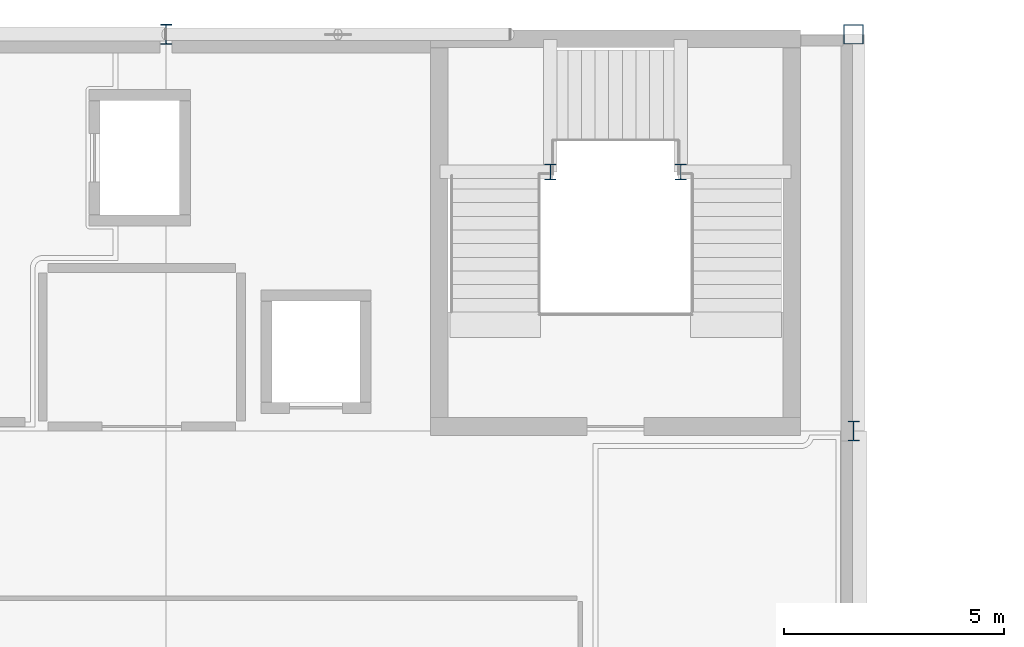
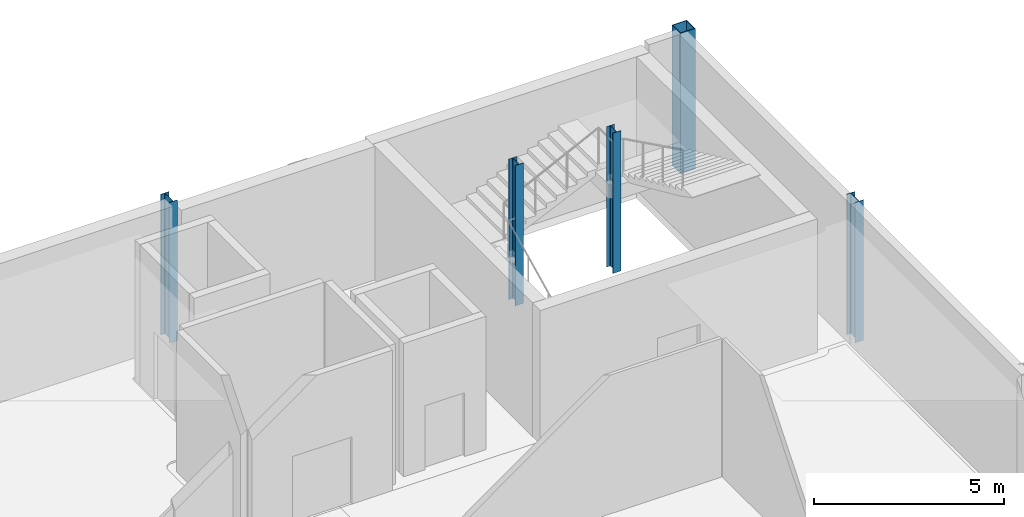
# One storey, part 7 of 38: 5 columns.
"""IFC4 building model written with IfcOpenShell, lengths in metres."""

from ifc_helpers import new_model, si_unit, derived_unit, direction, frame, origin, origin_2d, place, context, subcontext, project, spatial, hollow_rectangle, i_section, extrude, material, material_profile, profile_set, type_object, element, save


model = new_model("IFC4")

# Units and contexts
model_context = context("Model", 3, precision=1e-05, world=origin(), true_north=direction((0.0, 1.0)))
body_context = subcontext(model_context, "Body", "Model", "MODEL_VIEW")
ifc_project = project(units=[si_unit("LENGTHUNIT", "METRE"), si_unit("AREAUNIT", "SQUARE_METRE"), si_unit("VOLUMEUNIT", "CUBIC_METRE"), si_unit("PLANEANGLEUNIT", "RADIAN"), si_unit("MASSUNIT", "GRAM", prefix="KILO"), derived_unit("THERMALTRANSMITTANCEUNIT", [(si_unit("POWERUNIT", "WATT"), 1), (si_unit("LENGTHUNIT", "METRE"), -2), (si_unit("THERMODYNAMICTEMPERATUREUNIT", "KELVIN"), -1)])], contexts=[model_context])

# Site, building, storey
site_placement = place(None, origin())
site = spatial("IfcSite", under=ifc_project, at=site_placement, CompositionType="ELEMENT")
building_placement = place(site_placement, origin())
building = spatial("IfcBuilding", under=site, at=building_placement, Name="Nallur Shell Playhouse", CompositionType="ELEMENT")
storey_placement = place(building_placement, frame((0.0, 0.0, 24.300048828125)))
storey = spatial("IfcBuildingStorey", under=building, at=storey_placement, Name="L06", CompositionType="ELEMENT", Elevation=24.300048828125)

# Columns
ifc_material = material(Name="Steel E350", Category="steel")
ifc_material_profile_1 = material_profile(ifc_material, hollow_rectangle(XDim=0.449951171875, YDim=0.449951171875, WallThickness=0.02001953125, at=origin_2d()), Name="BOX 450x450x20")
ifc_profile_set_1 = profile_set([ifc_material_profile_1], Name="Steel E350")
column_type_1 = type_object("IfcColumnType", Name="CL-ST-BOX450", PredefinedType="COLUMN", material=ifc_profile_set_1)
column_placement = place(storey_placement, frame((103.0, 83.0, 0.0), z_axis=(0.0, 0.0, 1.0), x_axis=(1.0, 0.0, 0.0)))
element("IfcColumn", 1, at=column_placement, inside=storey, type_object=column_type_1, Name="Column 13-K (L06)", PredefinedType="COLUMN", context=body_context, shape_type="SweptSolid", body=[
    extrude(hollow_rectangle(XDim=0.449951171875, YDim=0.449951171875, WallThickness=0.02001953125, at=origin_2d()), origin(), (0.0, 0.0, 1.0), 4.5),
])
ifc_material_profile_2 = material_profile(ifc_material, i_section(OverallWidth=0.25, OverallDepth=0.35009765625, WebThickness=0.010009765625, FlangeThickness=0.01171875, FilletRadius=0.011962890625, at=origin_2d()), Name="ISHB 350")
ifc_profile_set_2 = profile_set([ifc_material_profile_2], Name="Steel E350")
column_type_2 = type_object("IfcColumnType", Name="CL-ST-ISHB350", PredefinedType="COLUMN", material=ifc_profile_set_2)
for number, where, z_axis, x_axis, name in (
    (2, (96.1201171875, 79.8798828125, 0.0), (0.0, 0.0, 1.0), (1.0, 0.0, 0.0), "Column STW-JC-4-W (L06)"),
    (3, (99.080078125, 79.8798828125, 0.0), (0.0, 0.0, 1.0), (1.0, 0.0, 0.0), "Column STW-JC-4-E (L06)"),
):
    element("IfcColumn", number, at=place(storey_placement, frame(where, z_axis=z_axis, x_axis=x_axis)), inside=storey, type_object=column_type_2, Name=name, PredefinedType="COLUMN", context=body_context, shape_type="SweptSolid", body=[
        extrude(i_section(OverallWidth=0.25, OverallDepth=0.35009765625, WebThickness=0.010009765625, FlangeThickness=0.01171875, FilletRadius=0.011962890625, at=origin_2d()), origin(), (0.0, 0.0, 1.0), 4.5),
    ])
ifc_material_profile_3 = material_profile(ifc_material, i_section(OverallWidth=0.25, OverallDepth=0.449951171875, WebThickness=0.01123046875, FlangeThickness=0.013671875, FilletRadius=0.014892578125, at=origin_2d()), Name="ISHB 450")
ifc_profile_set_3 = profile_set([ifc_material_profile_3], Name="Steel E350")
column_type_3 = type_object("IfcColumnType", Name="CL-ST-ISHB450", PredefinedType="COLUMN", material=ifc_profile_set_3)
for number, where, z_axis, x_axis, name in (
    (4, (87.39990234375, 83.0, 0.0), (0.0, 0.0, 1.0), (1.0, 0.0, 0.0), "Column 11-K (L06)"),
    (5, (103.0, 74.0, 0.0), (0.0, 0.0, 1.0), (1.0, 0.0, 0.0), "Column 13-J (L06)"),
):
    element("IfcColumn", number, at=place(storey_placement, frame(where, z_axis=z_axis, x_axis=x_axis)), inside=storey, type_object=column_type_3, Name=name, PredefinedType="COLUMN", context=body_context, shape_type="SweptSolid", body=[
        extrude(i_section(OverallWidth=0.25, OverallDepth=0.449951171875, WebThickness=0.01123046875, FlangeThickness=0.013671875, FilletRadius=0.014892578125, at=origin_2d()), origin(), (0.0, 0.0, 1.0), 4.5),
    ])

save(model, "model.ifc")
